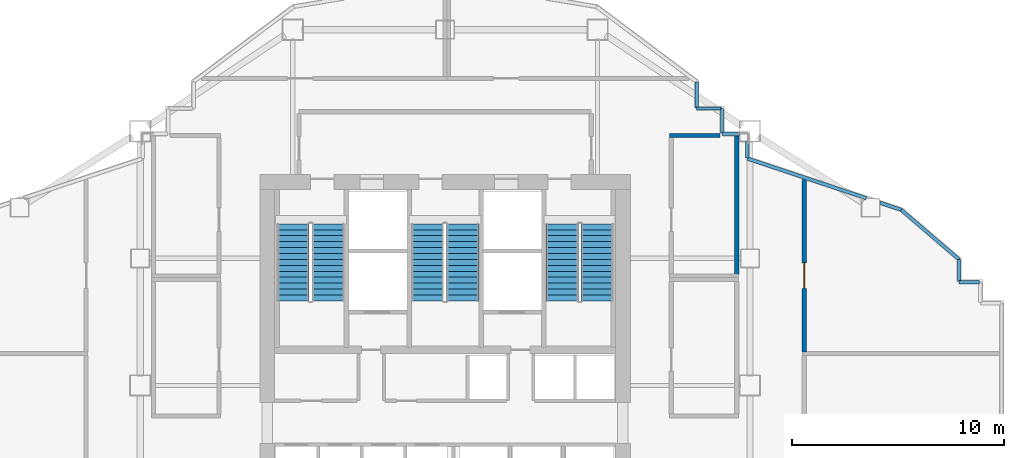
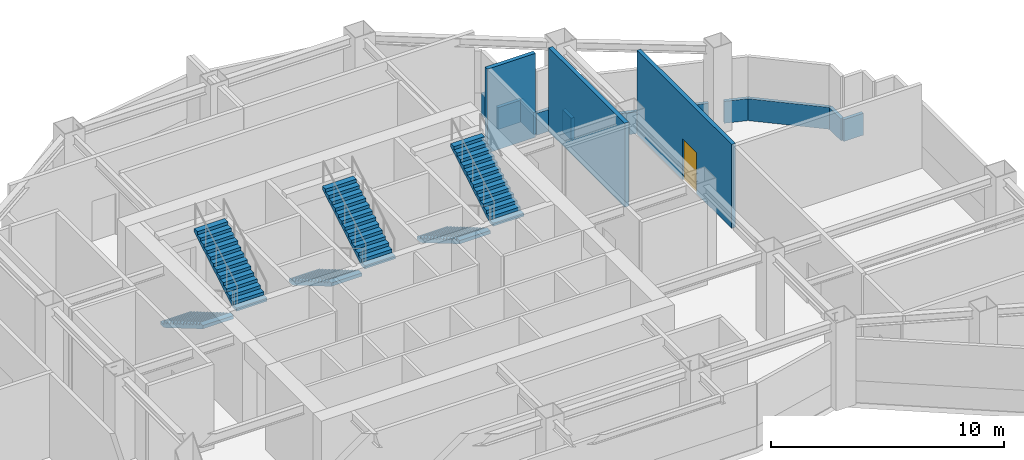
# One storey, part 5 of 12: 13 walls, 6 stair flights, 1 door, 1 opening, 3 elements without a shape of their own.
"""IFC4 building model written with IfcOpenShell, lengths in metres."""

from ifc_helpers import new_model, si_unit, direction, frame, frame_2d, origin, place, context, subcontext, project, spatial, polyline, rectangle, outline, extrude, material, layer, layer_set, type_object, element, fill, aggregate, save


model = new_model("IFC4")

# Units and contexts
model_context = context("Model", 3, precision=1e-05, world=origin(), true_north=direction((0.0, 1.0)))
body_context = subcontext(model_context, "Body", "Model", "MODEL_VIEW")
ifc_project = project(units=[si_unit("LENGTHUNIT", "METRE"), si_unit("AREAUNIT", "SQUARE_METRE"), si_unit("VOLUMEUNIT", "CUBIC_METRE"), si_unit("PLANEANGLEUNIT", "RADIAN"), si_unit("MASSUNIT", "GRAM", prefix="KILO")], contexts=[model_context])

# Site, building, storey
site_placement = place(None, origin())
site = spatial("IfcSite", under=ifc_project, at=site_placement, CompositionType="ELEMENT")
building_placement = place(site_placement, origin())
building = spatial("IfcBuilding", under=site, at=building_placement, Name="Haolan Belvedere Tower", CompositionType="ELEMENT")
storey_placement = place(building_placement, frame((0.0, 0.0, 136.39990234375)))
storey = spatial("IfcBuildingStorey", under=building, at=storey_placement, Name="L34", CompositionType="ELEMENT", Elevation=136.39990234375)

# Wall, opening, door
ifc_material_1 = material(Name="Concrete C40/50", Category="concrete")
ifc_layer_1 = layer(ifc_material_1, 0.199951171875, Name="Concrete C40/50")
ifc_layer_set_1 = layer_set([ifc_layer_1], Name="Concrete C40/50")
wall_type_1 = type_object("IfcWallType", Name="WL-FIRE-200", PredefinedType="SOLIDWALL", material=ifc_layer_set_1)
wall_1_placement = place(storey_placement, frame((55.360107421875, 35.18505859375, 0.0), z_axis=(0.0, 0.0, 1.0), x_axis=(0.0, 1.0, 0.0)))
wall_1 = element("IfcWall", 1, at=wall_1_placement, inside=storey, type_object=wall_type_1, Name="L34 interior partition IW-L34-REF-E2-W", PredefinedType="SOLIDWALL", context=body_context, shape_type="SweptSolid", body=[
    extrude(rectangle(XDim=8.13818359375, YDim=0.199951171875, at=frame_2d((4.069091796875, 0.0))), origin(), (0.0, 0.0, 1.0), 4.400146484375),
])
opening_placement = place(wall_1_placement, frame((2.9951171875, 0.0, 0.0)))
opening = element("IfcOpeningElement", 2, at=opening_placement, cuts=wall_1, Name="Opening FD-02", PredefinedType="OPENING", context=body_context, shape_type="SweptSolid", body=[
    extrude(rectangle(XDim=1.199951171875, YDim=2.14990234375, at=frame_2d((0.60009765625, 1.074951171875))), frame((0.0, 0.10986328125, 0.0), z_axis=(0.0, -1.0, 0.0), x_axis=(1.0, 0.0, 0.0)), (0.0, 0.0, 1.0), 0.219970703125),
])
ifc_material_2 = material(Name="Galvanised fire-rated steel", Category="steel")
door_type = type_object("IfcDoorType", Name="DR-FD90-1200", OperationType="NOTDEFINED", PredefinedType="DOOR", material=ifc_material_2)
door_placement = place(opening_placement, origin())
door = element("IfcDoor", 3, at=door_placement, inside=storey, type_object=door_type, Name="L34 door ID-L34-REF-E2", OperationType="SINGLE_SWING_LEFT", OverallHeight=2.14990234375, OverallWidth=1.199951171875, PredefinedType="DOOR", context=body_context, shape_type="SweptSolid", body=[
    extrude(rectangle(XDim=1.199951171875, YDim=2.14990234375, at=frame_2d((0.60009765625, 1.074951171875))), frame((0.0, 0.02490234375, 0.0), z_axis=(0.0, -1.0, 0.0), x_axis=(1.0, 0.0, 0.0)), (0.0, 0.0, 1.0), 0.050048828125),
])
fill(opening, door)

# Walls
wall_2_placement = place(storey_placement, frame((49.0, 45.39990234375, 0.0), z_axis=(0.0, 0.0, 1.0), x_axis=(1.0, 0.0, 0.0)))
element("IfcWall", 4, at=wall_2_placement, inside=storey, type_object=wall_type_1, Name="L34 interior partition IW-L34-REF-EI2-N", PredefinedType="SOLIDWALL", context=body_context, shape_type="SweptSolid", body=[
    extrude(rectangle(XDim=2.387939453125, YDim=0.199951171875, at=frame_2d((1.19384765625, 0.0))), origin(), (0.0, 0.0, 1.0), 4.400146484375),
])
wall_3_placement = place(storey_placement, frame((52.179931640625, 38.844970703125, 0.0), z_axis=(0.0, 0.0, 1.0), x_axis=(0.0, 1.0, 0.0)))
element("IfcWall", 5, at=wall_3_placement, inside=storey, type_object=wall_type_1, Name="L34 interior partition IW-L34-REF-EI2-E", PredefinedType="SOLIDWALL", context=body_context, shape_type="SweptSolid", body=[
    extrude(rectangle(XDim=6.54296875, YDim=0.199951171875, at=frame_2d((3.271484375, 0.0))), origin(), (0.0, 0.0, 1.0), 4.400146484375),
])
ifc_material_3 = material(Name="Precast concrete C40/50", Category="concrete")
ifc_layer_2 = layer(ifc_material_3, 0.159912109375, Name="Precast concrete C40/50")
ifc_layer_set_2 = layer_set([ifc_layer_2], Name="Precast concrete C40/50")
wall_type_2 = type_object("IfcWallType", Name="WL-PAR-160", PredefinedType="PARAPET", material=ifc_layer_set_2)
wall_4_placement = place(storey_placement, frame((63.64990234375, 38.47998046875, 0.0), z_axis=(0.0, 0.0, 1.0), x_axis=(-1.0, 0.0, 0.0)))
element("IfcWall", 6, at=wall_4_placement, inside=storey, type_object=wall_type_2, Name="L34 refuge open-band parapet 17.1", PredefinedType="PARAPET", context=body_context, shape_type="SweptSolid", body=[
    extrude(rectangle(XDim=0.969970703125, YDim=0.159912109375, at=frame_2d((0.48486328125, 0.0))), origin(), (0.0, 0.0, 1.0), 1.150146484375),
])
wall_5_placement = place(storey_placement, frame((62.679931640625, 38.510009765625, 0.0), z_axis=(0.0, 0.0, 1.0), x_axis=(0.0, 1.0, 0.0)))
element("IfcWall", 7, at=wall_5_placement, inside=storey, type_object=wall_type_2, Name="L34 refuge open-band parapet 18.1", PredefinedType="PARAPET", context=body_context, shape_type="SweptSolid", body=[
    extrude(rectangle(XDim=1.034912109375, YDim=0.159912109375, at=frame_2d((0.517578125, 0.0))), origin(), (0.0, 0.0, 1.0), 1.150146484375),
])
wall_6_placement = place(storey_placement, frame((62.679931640625, 39.544921875, 0.0), z_axis=(0.0, 0.0, 1.0), x_axis=(-0.759275702513, 0.650769089289, 0.0)))
element("IfcWall", 8, at=wall_6_placement, inside=storey, type_object=wall_type_2, Name="L34 refuge open-band parapet 19.1", PredefinedType="PARAPET", context=body_context, shape_type="SweptSolid", body=[
    extrude(rectangle(XDim=3.609130859375, YDim=0.159912109375, at=frame_2d((1.8046875, 0.0))), origin(), (0.0, 0.0, 1.0), 1.150146484375),
])
wall_7_placement = place(storey_placement, frame((59.939697265625, 41.8935546875, 0.0), z_axis=(0.0, 0.0, 1.0), x_axis=(-0.948636865667, 0.316367029093, 0.0)))
element("IfcWall", 9, at=wall_7_placement, inside=storey, type_object=wall_type_2, Name="L34 refuge open-band parapet 20.1", PredefinedType="PARAPET", context=body_context, shape_type="SweptSolid", body=[
    extrude(rectangle(XDim=1.0517578125, YDim=0.159912109375, at=frame_2d((0.52587890625, 0.0))), origin(), (0.0, 0.0, 1.0), 1.150146484375),
])
wall_8_placement = place(storey_placement, frame((58.294677734375, 42.44189453125, 0.0), z_axis=(0.0, 0.0, 1.0), x_axis=(-0.948683298051, 0.316227766017, 0.0)))
element("IfcWall", 10, at=wall_8_placement, inside=storey, type_object=wall_type_2, Name="L34 refuge open-band parapet 20.2", PredefinedType="PARAPET", context=body_context, shape_type="SweptSolid", body=[
    extrude(rectangle(XDim=5.91845703125, YDim=0.159912109375, at=frame_2d((2.959228515625, 0.0))), origin(), (0.0, 0.0, 1.0), 1.150146484375),
])
wall_9_placement = place(storey_placement, frame((52.679931640625, 44.343505859375, 0.0), z_axis=(0.0, 0.0, 1.0), x_axis=(0.0, 1.0, 0.0)))
element("IfcWall", 11, at=wall_9_placement, inside=storey, type_object=wall_type_2, Name="L34 refuge open-band parapet 21.1", PredefinedType="PARAPET", context=body_context, shape_type="SweptSolid", body=[
    extrude(rectangle(XDim=0.764404296875, YDim=0.159912109375, at=frame_2d((0.38232421875, 0.0))), origin(), (0.0, 0.0, 1.0), 1.150146484375),
])
wall_10_placement = place(storey_placement, frame((52.30810546875, 45.47998046875, 0.0), z_axis=(0.0, 0.0, 1.0), x_axis=(-1.0, 0.0, 0.0)))
element("IfcWall", 12, at=wall_10_placement, inside=storey, type_object=wall_type_2, Name="L34 refuge open-band parapet 22.1", PredefinedType="PARAPET", context=body_context, shape_type="SweptSolid", body=[
    extrude(rectangle(XDim=0.828125, YDim=0.159912109375, at=frame_2d((0.4140625, 0.0))), origin(), (0.0, 0.0, 1.0), 1.150146484375),
])
for number, where, z_axis, x_axis, name in (
    (13, (51.47998046875, 45.510009765625, 0.0), (0.0, 0.0, 1.0), (0.0, 1.0, 0.0), "L34 refuge open-band parapet 23.1"),
    (14, (51.449951171875, 46.679931640625, 0.0), (0.0, 0.0, 1.0), (-1.0, 0.0, 0.0), "L34 refuge open-band parapet 24.1"),
):
    element("IfcWall", number, at=place(storey_placement, frame(where, z_axis=z_axis, x_axis=x_axis)), inside=storey, type_object=wall_type_2, Name=name, PredefinedType="PARAPET", context=body_context, shape_type="SweptSolid", body=[
        extrude(rectangle(XDim=1.169921875, YDim=0.159912109375, at=frame_2d((0.5849609375, 0.0))), origin(), (0.0, 0.0, 1.0), 1.150146484375),
    ])
wall_11_placement = place(storey_placement, frame((50.280029296875, 46.7099609375, 0.0), z_axis=(0.0, 0.0, 1.0), x_axis=(0.0, 1.0, 0.0)))
element("IfcWall", 15, at=wall_11_placement, inside=storey, type_object=wall_type_2, Name="L34 refuge open-band parapet 25.1", PredefinedType="PARAPET", context=body_context, shape_type="SweptSolid", body=[
    extrude(rectangle(XDim=1.22998046875, YDim=0.159912109375, at=frame_2d((0.614990234375, 0.0))), origin(), (0.0, 0.0, 1.0), 1.150146484375),
])

# Stair, stair flights
stair_type = type_object("IfcStairType", Name="STR-DL-28R-164", PredefinedType="HALF_TURN_STAIR", material=ifc_material_1)
stair_1_placement = place(storey_placement, origin())
stair_1 = element("IfcStair", 16, at=stair_1_placement, inside=storey, type_object=stair_type, Name="L34 Smokeproof Core Exit Stair ST1", PredefinedType="HALF_TURN_STAIR")
stair_flight_type = type_object("IfcStairFlightType", Name="SFL-DL-14R-164", PredefinedType="STRAIGHT", material=ifc_material_1)
stair_flight_1_placement = place(storey_placement, frame((31.2099609375, 41.22998046875, 0.0), z_axis=(0.0, 0.0, 1.0), x_axis=(0.0, -1.0, 0.0)))
stair_flight_1 = element("IfcStairFlight", 17, at=stair_flight_1_placement, type_object=stair_flight_type, Name="ST1 flight 1", NumberOfRisers=14, NumberOfTreads=13, PredefinedType="STRAIGHT", RiserHeight=0.164285714, TreadLength=0.28, context=body_context, shape_type="SweptSolid", body=[
    extrude(outline(polyline([(0.0, 0.0), (0.0, 0.164306640625), (0.280029296875, 0.164306640625), (0.280029296875, 0.32861328125), (0.56005859375, 0.32861328125), (0.56005859375, 0.492919921875), (0.840087890625, 0.492919921875), (0.840087890625, 0.6572265625), (1.1201171875, 0.6572265625), (1.1201171875, 0.821533203125), (1.39990234375, 0.821533203125), (1.39990234375, 0.985595703125), (1.679931640625, 0.985595703125), (1.679931640625, 1.14990234375), (1.9599609375, 1.14990234375), (1.9599609375, 1.314208984375), (2.239990234375, 1.314208984375), (2.239990234375, 1.478515625), (2.52001953125, 1.478515625), (2.52001953125, 1.642822265625), (2.800048828125, 1.642822265625), (2.800048828125, 1.80712890625), (3.080078125, 1.80712890625), (3.080078125, 1.971435546875), (3.360107421875, 1.971435546875), (3.360107421875, 2.1357421875), (3.639892578125, 2.1357421875), (3.639892578125, 2.300048828125), (3.639892578125, 1.9619140625), (0.296142578125, 0.0), (0.0, 0.0)])), frame((0.0, 0.760009765625, 0.0), z_axis=(0.0, -1.0, 0.0), x_axis=(1.0, 0.0, 0.0)), (0.0, 0.0, 1.0), 1.52001953125),
])
stair_flight_2_placement = place(storey_placement, frame((32.8701171875, 37.590087890625, 2.300048828125), z_axis=(0.0, 0.0, 1.0), x_axis=(0.0, 1.0, 0.0)))
stair_flight_2 = element("IfcStairFlight", 18, at=stair_flight_2_placement, type_object=stair_flight_type, Name="ST1 flight 2", NumberOfRisers=14, NumberOfTreads=13, PredefinedType="STRAIGHT", RiserHeight=0.164285714, TreadLength=0.28, context=body_context, shape_type="SweptSolid", body=[
    extrude(outline(polyline([(0.0, 0.0), (0.0, 0.164306640625), (0.280029296875, 0.164306640625), (0.280029296875, 0.32861328125), (0.56005859375, 0.32861328125), (0.56005859375, 0.492919921875), (0.840087890625, 0.492919921875), (0.840087890625, 0.6572265625), (1.1201171875, 0.6572265625), (1.1201171875, 0.821533203125), (1.39990234375, 0.821533203125), (1.39990234375, 0.985595703125), (1.679931640625, 0.985595703125), (1.679931640625, 1.14990234375), (1.9599609375, 1.14990234375), (1.9599609375, 1.314208984375), (2.239990234375, 1.314208984375), (2.239990234375, 1.478515625), (2.52001953125, 1.478515625), (2.52001953125, 1.642822265625), (2.800048828125, 1.642822265625), (2.800048828125, 1.80712890625), (3.080078125, 1.80712890625), (3.080078125, 1.971435546875), (3.360107421875, 1.971435546875), (3.360107421875, 2.1357421875), (3.639892578125, 2.1357421875), (3.639892578125, 2.300048828125), (3.639892578125, 1.9619140625), (0.296142578125, 0.0), (0.0, 0.0)])), frame((0.0, 0.760009765625, 0.0), z_axis=(0.0, -1.0, 0.0), x_axis=(1.0, 0.0, 0.0)), (0.0, 0.0, 1.0), 1.52001953125),
])
aggregate(stair_1, [stair_flight_1, stair_flight_2])

stair_2_placement = place(storey_placement, origin())
stair_2 = element("IfcStair", 19, at=stair_2_placement, inside=storey, type_object=stair_type, Name="L34 Smokeproof Core Exit Stair ST3", PredefinedType="HALF_TURN_STAIR")
stair_flight_3_placement = place(storey_placement, frame((37.570068359375, 41.22998046875, 0.0), z_axis=(0.0, 0.0, 1.0), x_axis=(0.0, -1.0, 0.0)))
stair_flight_3 = element("IfcStairFlight", 20, at=stair_flight_3_placement, type_object=stair_flight_type, Name="ST3 flight 1", NumberOfRisers=14, NumberOfTreads=13, PredefinedType="STRAIGHT", RiserHeight=0.164285714, TreadLength=0.28, context=body_context, shape_type="SweptSolid", body=[
    extrude(outline(polyline([(0.0, 0.0), (0.0, 0.164306640625), (0.280029296875, 0.164306640625), (0.280029296875, 0.32861328125), (0.56005859375, 0.32861328125), (0.56005859375, 0.492919921875), (0.840087890625, 0.492919921875), (0.840087890625, 0.6572265625), (1.1201171875, 0.6572265625), (1.1201171875, 0.821533203125), (1.39990234375, 0.821533203125), (1.39990234375, 0.985595703125), (1.679931640625, 0.985595703125), (1.679931640625, 1.14990234375), (1.9599609375, 1.14990234375), (1.9599609375, 1.314208984375), (2.239990234375, 1.314208984375), (2.239990234375, 1.478515625), (2.52001953125, 1.478515625), (2.52001953125, 1.642822265625), (2.800048828125, 1.642822265625), (2.800048828125, 1.80712890625), (3.080078125, 1.80712890625), (3.080078125, 1.971435546875), (3.360107421875, 1.971435546875), (3.360107421875, 2.1357421875), (3.639892578125, 2.1357421875), (3.639892578125, 2.300048828125), (3.639892578125, 1.9619140625), (0.296142578125, 0.0), (0.0, 0.0)])), frame((0.0, 0.760009765625, 0.0), z_axis=(0.0, -1.0, 0.0), x_axis=(1.0, 0.0, 0.0)), (0.0, 0.0, 1.0), 1.52001953125),
])
stair_flight_4_placement = place(storey_placement, frame((39.22998046875, 37.590087890625, 2.300048828125), z_axis=(0.0, 0.0, 1.0), x_axis=(0.0, 1.0, 0.0)))
stair_flight_4 = element("IfcStairFlight", 21, at=stair_flight_4_placement, type_object=stair_flight_type, Name="ST3 flight 2", NumberOfRisers=14, NumberOfTreads=13, PredefinedType="STRAIGHT", RiserHeight=0.164285714, TreadLength=0.28, context=body_context, shape_type="SweptSolid", body=[
    extrude(outline(polyline([(0.0, 0.0), (0.0, 0.164306640625), (0.280029296875, 0.164306640625), (0.280029296875, 0.32861328125), (0.56005859375, 0.32861328125), (0.56005859375, 0.492919921875), (0.840087890625, 0.492919921875), (0.840087890625, 0.6572265625), (1.1201171875, 0.6572265625), (1.1201171875, 0.821533203125), (1.39990234375, 0.821533203125), (1.39990234375, 0.985595703125), (1.679931640625, 0.985595703125), (1.679931640625, 1.14990234375), (1.9599609375, 1.14990234375), (1.9599609375, 1.314208984375), (2.239990234375, 1.314208984375), (2.239990234375, 1.478515625), (2.52001953125, 1.478515625), (2.52001953125, 1.642822265625), (2.800048828125, 1.642822265625), (2.800048828125, 1.80712890625), (3.080078125, 1.80712890625), (3.080078125, 1.971435546875), (3.360107421875, 1.971435546875), (3.360107421875, 2.1357421875), (3.639892578125, 2.1357421875), (3.639892578125, 2.300048828125), (3.639892578125, 1.9619140625), (0.296142578125, 0.0), (0.0, 0.0)])), frame((0.0, 0.760009765625, 0.0), z_axis=(0.0, -1.0, 0.0), x_axis=(1.0, 0.0, 0.0)), (0.0, 0.0, 1.0), 1.52001953125),
])
aggregate(stair_2, [stair_flight_3, stair_flight_4])

stair_3_placement = place(storey_placement, origin())
stair_3 = element("IfcStair", 22, at=stair_3_placement, inside=storey, type_object=stair_type, Name="L34 Smokeproof Core Exit Stair ST2", PredefinedType="HALF_TURN_STAIR")
stair_flight_5_placement = place(storey_placement, frame((43.929931640625, 41.22998046875, 0.0), z_axis=(0.0, 0.0, 1.0), x_axis=(0.0, -1.0, 0.0)))
stair_flight_5 = element("IfcStairFlight", 23, at=stair_flight_5_placement, type_object=stair_flight_type, Name="ST2 flight 1", NumberOfRisers=14, NumberOfTreads=13, PredefinedType="STRAIGHT", RiserHeight=0.164285714, TreadLength=0.28, context=body_context, shape_type="SweptSolid", body=[
    extrude(outline(polyline([(0.0, 0.0), (0.0, 0.164306640625), (0.280029296875, 0.164306640625), (0.280029296875, 0.32861328125), (0.56005859375, 0.32861328125), (0.56005859375, 0.492919921875), (0.840087890625, 0.492919921875), (0.840087890625, 0.6572265625), (1.1201171875, 0.6572265625), (1.1201171875, 0.821533203125), (1.39990234375, 0.821533203125), (1.39990234375, 0.985595703125), (1.679931640625, 0.985595703125), (1.679931640625, 1.14990234375), (1.9599609375, 1.14990234375), (1.9599609375, 1.314208984375), (2.239990234375, 1.314208984375), (2.239990234375, 1.478515625), (2.52001953125, 1.478515625), (2.52001953125, 1.642822265625), (2.800048828125, 1.642822265625), (2.800048828125, 1.80712890625), (3.080078125, 1.80712890625), (3.080078125, 1.971435546875), (3.360107421875, 1.971435546875), (3.360107421875, 2.1357421875), (3.639892578125, 2.1357421875), (3.639892578125, 2.300048828125), (3.639892578125, 1.9619140625), (0.296142578125, 0.0), (0.0, 0.0)])), frame((0.0, 0.760009765625, 0.0), z_axis=(0.0, -1.0, 0.0), x_axis=(1.0, 0.0, 0.0)), (0.0, 0.0, 1.0), 1.52001953125),
])
stair_flight_6_placement = place(storey_placement, frame((45.590087890625, 37.590087890625, 2.300048828125), z_axis=(0.0, 0.0, 1.0), x_axis=(0.0, 1.0, 0.0)))
stair_flight_6 = element("IfcStairFlight", 24, at=stair_flight_6_placement, type_object=stair_flight_type, Name="ST2 flight 2", NumberOfRisers=14, NumberOfTreads=13, PredefinedType="STRAIGHT", RiserHeight=0.164285714, TreadLength=0.28, context=body_context, shape_type="SweptSolid", body=[
    extrude(outline(polyline([(0.0, 0.0), (0.0, 0.164306640625), (0.280029296875, 0.164306640625), (0.280029296875, 0.32861328125), (0.56005859375, 0.32861328125), (0.56005859375, 0.492919921875), (0.840087890625, 0.492919921875), (0.840087890625, 0.6572265625), (1.1201171875, 0.6572265625), (1.1201171875, 0.821533203125), (1.39990234375, 0.821533203125), (1.39990234375, 0.985595703125), (1.679931640625, 0.985595703125), (1.679931640625, 1.14990234375), (1.9599609375, 1.14990234375), (1.9599609375, 1.314208984375), (2.239990234375, 1.314208984375), (2.239990234375, 1.478515625), (2.52001953125, 1.478515625), (2.52001953125, 1.642822265625), (2.800048828125, 1.642822265625), (2.800048828125, 1.80712890625), (3.080078125, 1.80712890625), (3.080078125, 1.971435546875), (3.360107421875, 1.971435546875), (3.360107421875, 2.1357421875), (3.639892578125, 2.1357421875), (3.639892578125, 2.300048828125), (3.639892578125, 1.9619140625), (0.296142578125, 0.0), (0.0, 0.0)])), frame((0.0, 0.760009765625, 0.0), z_axis=(0.0, -1.0, 0.0), x_axis=(1.0, 0.0, 0.0)), (0.0, 0.0, 1.0), 1.52001953125),
])
aggregate(stair_3, [stair_flight_5, stair_flight_6])

save(model, "model.ifc")
